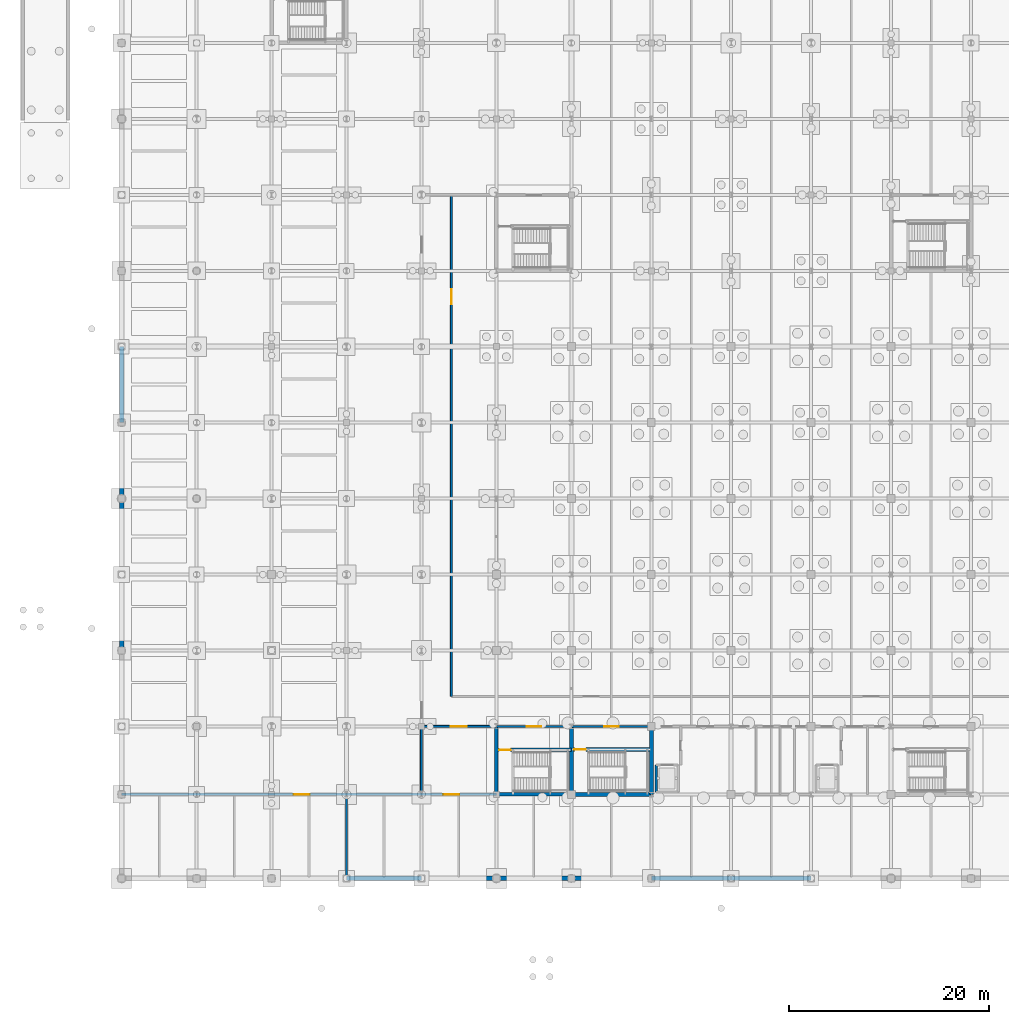
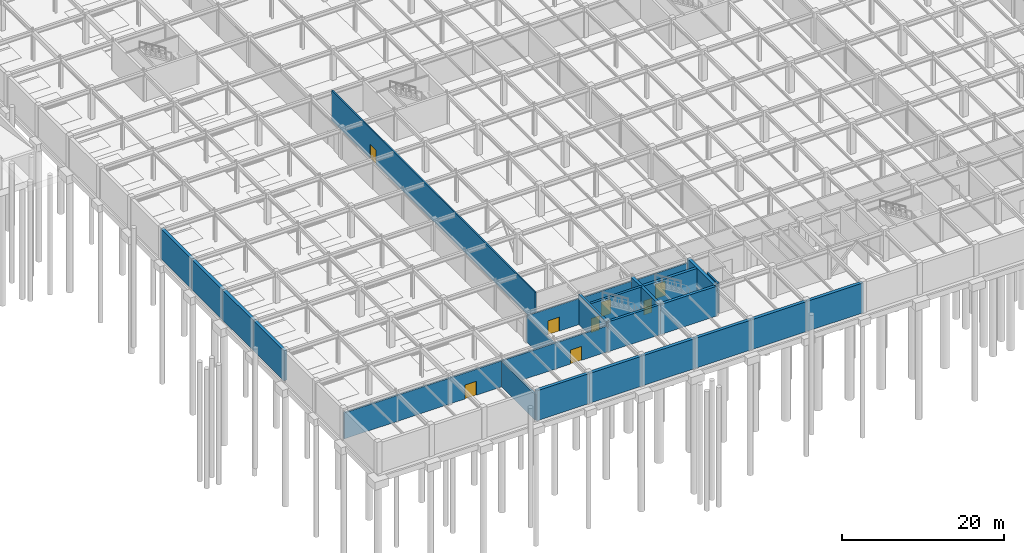
# One storey, part 39 of 53: 25 walls, 8 doors, 8 openings.
"""IFC4 building model written with IfcOpenShell, lengths in metres."""

from ifc_helpers import new_model, si_unit, direction, frame, frame_2d, origin, place, context, subcontext, project, spatial, rectangle, extrude, material, layer, layer_set, type_object, element, fill, save


model = new_model("IFC4")

# Units and contexts
model_context = context("Model", 3, precision=1e-05, world=origin(), true_north=direction((0.0, 1.0)))
body_context = subcontext(model_context, "Body", "Model", "MODEL_VIEW")
ifc_project = project(units=[si_unit("LENGTHUNIT", "METRE"), si_unit("AREAUNIT", "SQUARE_METRE"), si_unit("VOLUMEUNIT", "CUBIC_METRE"), si_unit("PLANEANGLEUNIT", "RADIAN"), si_unit("MASSUNIT", "GRAM", prefix="KILO")], contexts=[model_context])

# Site, building, storey
site_placement = place(None, origin())
site = spatial("IfcSite", under=ifc_project, at=site_placement, CompositionType="ELEMENT")
building_placement = place(site_placement, origin())
building = spatial("IfcBuilding", under=site, at=building_placement, Name="Shalkamar Park Central Library", CompositionType="ELEMENT")
storey_placement = place(building_placement, frame((0.0, 0.0, -4.800048828125)))
storey = spatial("IfcBuildingStorey", under=building, at=storey_placement, Name="B1", CompositionType="ELEMENT", Elevation=-4.800048828125)

# Walls
ifc_material_1 = material(Name="Concrete C40/50", Category="concrete")
ifc_layer_1 = layer(ifc_material_1, 0.449951171875)
ifc_layer_set_1 = layer_set([ifc_layer_1], Name="Concrete C40/50")
wall_type_1 = type_object("IfcWallType", Name="Basement Retaining Shear Wall 450", PredefinedType="SHEAR", material=ifc_layer_set_1)
for number, where, z_axis, x_axis, name in (
    (1, (142.5, 240.0, 0.0), (0.0, 0.0, 1.0), (1.0, 0.0, 0.0), "Basement Retaining Wall S-04"),
    (2, (150.0, 240.0, 0.0), (0.0, 0.0, 1.0), (1.0, 0.0, 0.0), "Basement Retaining Wall S-05"),
    (3, (157.5, 240.0, 0.0), (0.0, 0.0, 1.0), (1.0, 0.0, 0.0), "Basement Retaining Wall S-06"),
):
    element("IfcWall", number, at=place(storey_placement, frame(where, z_axis=z_axis, x_axis=x_axis)), inside=storey, type_object=wall_type_1, Name=name, PredefinedType="SHEAR", context=body_context, shape_type="SweptSolid", body=[
        extrude(rectangle(XDim=7.5, YDim=0.449951171875, at=frame_2d((3.75, 0.0))), origin(), (0.0, 0.0, 1.0), 4.510009765625),
    ])
for number, where, z_axis, x_axis, name in (
    (4, (165.0, 240.0, 0.0), (0.0, 0.0, 1.0), (1.0, 0.0, 0.0), "Basement Retaining Wall S-07"),
    (5, (173.0, 240.0, 0.0), (0.0, 0.0, 1.0), (1.0, 0.0, 0.0), "Basement Retaining Wall S-08"),
    (6, (181.0, 240.0, 0.0), (0.0, 0.0, 1.0), (1.0, 0.0, 0.0), "Basement Retaining Wall S-09"),
):
    element("IfcWall", number, at=place(storey_placement, frame(where, z_axis=z_axis, x_axis=x_axis)), inside=storey, type_object=wall_type_1, Name=name, PredefinedType="SHEAR", context=body_context, shape_type="SweptSolid", body=[
        extrude(rectangle(XDim=8.0, YDim=0.449951171875, at=frame_2d((4.0, 0.0))), origin(), (0.0, 0.0, 1.0), 4.510009765625),
    ])
wall_1_placement = place(storey_placement, frame((120.0, 262.800048828125, 0.0), z_axis=(0.0, 0.0, 1.0), x_axis=(0.0, 1.0, 0.0)))
element("IfcWall", 7, at=wall_1_placement, inside=storey, type_object=wall_type_1, Name="Basement Retaining Wall W-D", PredefinedType="SHEAR", context=body_context, shape_type="SweptSolid", body=[
    extrude(rectangle(XDim=7.599853515625, YDim=0.449951171875, at=frame_2d((3.7998046875, 0.0))), origin(), (0.0, 0.0, 1.0), 4.510009765625),
])
for number, where, z_axis, x_axis, name in (
    (8, (120.0, 270.39990234375, 0.0), (0.0, 0.0, 1.0), (0.0, 1.0, 0.0), "Basement Retaining Wall W-E"),
    (9, (120.0, 278.0, 0.0), (0.0, 0.0, 1.0), (0.0, 1.0, 0.0), "Basement Retaining Wall W-F"),
):
    element("IfcWall", number, at=place(storey_placement, frame(where, z_axis=z_axis, x_axis=x_axis)), inside=storey, type_object=wall_type_1, Name=name, PredefinedType="SHEAR", context=body_context, shape_type="SweptSolid", body=[
        extrude(rectangle(XDim=7.60009765625, YDim=0.449951171875, at=frame_2d((3.800048828125, 0.0))), origin(), (0.0, 0.0, 1.0), 4.510009765625),
    ])
wall_2_placement = place(storey_placement, frame((120.0, 285.60009765625, 0.0), z_axis=(0.0, 0.0, 1.0), x_axis=(0.0, 1.0, 0.0)))
element("IfcWall", 10, at=wall_2_placement, inside=storey, type_object=wall_type_1, Name="Basement Retaining Wall W-G", PredefinedType="SHEAR", context=body_context, shape_type="SweptSolid", body=[
    extrude(rectangle(XDim=7.599853515625, YDim=0.449951171875, at=frame_2d((3.7998046875, 0.0))), origin(), (0.0, 0.0, 1.0), 4.510009765625),
])

# Wall, openings, doors
ifc_material_2 = material(Name="Reinforced fire-compartment masonry wall", Category="masonry")
ifc_layer_2 = layer(ifc_material_2, 0.239990234375)
ifc_layer_set_2 = layer_set([ifc_layer_2], Name="CompartmentWall_240")
wall_type_2 = type_object("IfcWallType", Name="Compartment Wall 240", PredefinedType="PARTITIONING", material=ifc_layer_set_2)
wall_3_placement = place(storey_placement, frame((120.0, 248.39990234375, 0.0), z_axis=(0.0, 0.0, 1.0), x_axis=(1.0, 0.0, 0.0)))
wall_3 = element("IfcWall", 11, at=wall_3_placement, inside=storey, type_object=wall_type_2, Name="Interior Partition WL-INT-B1-018", PredefinedType="PARTITIONING", context=body_context, shape_type="SweptSolid", body=[
    extrude(rectangle(XDim=37.5, YDim=0.239990234375, at=frame_2d((18.75, 0.0))), origin(), (0.0, 0.0, 1.0), 3.907958984375),
])
opening_1_placement = place(wall_3_placement, frame((17.199951171875, 0.0, 0.0)))
opening_1 = element("IfcOpeningElement", 12, at=opening_1_placement, cuts=wall_3, Name="Opening DR-B1-015", PredefinedType="OPENING", context=body_context, shape_type="SweptSolid", body=[
    extrude(rectangle(XDim=1.60009765625, YDim=2.10009765625, at=frame_2d((0.800048828125, 1.050048828125))), frame((0.0, 0.134765625, 0.0), z_axis=(0.0, -1.0, 0.0), x_axis=(1.0, 0.0, 0.0)), (0.0, 0.0, 1.0), 0.269775390625),
])
opening_2_placement = place(wall_3_placement, frame((32.199951171875, 0.0, 0.0)))
opening_2 = element("IfcOpeningElement", 13, at=opening_2_placement, cuts=wall_3, Name="Opening DR-B1-016", PredefinedType="OPENING", context=body_context, shape_type="SweptSolid", body=[
    extrude(rectangle(XDim=1.60009765625, YDim=2.10009765625, at=frame_2d((0.800048828125, 1.050048828125))), frame((0.0, 0.134765625, 0.0), z_axis=(0.0, -1.0, 0.0), x_axis=(1.0, 0.0, 0.0)), (0.0, 0.0, 1.0), 0.269775390625),
])
ifc_material_3 = material(Name="Steel S355", Category="steel")
door_type_1 = type_object("IfcDoorType", Name="Fire Door Double 1600x2100", OperationType="DOUBLE_DOOR_SINGLE_SWING", PredefinedType="DOOR", material=ifc_material_3)
door_1_placement = place(opening_1_placement, frame((1.60009765625, 0.0, 0.0), z_axis=(0.0, 0.0, 1.0), x_axis=(-1.0, 0.0, 0.0)))
door_1 = element("IfcDoor", 14, at=door_1_placement, inside=storey, type_object=door_type_1, Name="Sprinkler Pump Plant Door", OperationType="DOUBLE_DOOR_SINGLE_SWING", OverallHeight=2.10009765625, OverallWidth=1.60009765625, PredefinedType="DOOR", context=body_context, shape_type="SweptSolid", body=[
    extrude(rectangle(XDim=1.60009765625, YDim=2.10009765625, at=frame_2d((0.800048828125, 1.050048828125))), frame((0.0, 0.02490234375, 0.0), z_axis=(0.0, -1.0, 0.0), x_axis=(1.0, 0.0, 0.0)), (0.0, 0.0, 1.0), 0.050048828125),
])
fill(opening_1, door_1)
door_2_placement = place(opening_2_placement, frame((1.60009765625, 0.0, 0.0), z_axis=(0.0, 0.0, 1.0), x_axis=(-1.0, 0.0, 0.0)))
door_2 = element("IfcDoor", 15, at=door_2_placement, inside=storey, type_object=door_type_1, Name="District Heating Substation Door", OperationType="DOUBLE_DOOR_SINGLE_SWING", OverallHeight=2.10009765625, OverallWidth=1.60009765625, PredefinedType="DOOR", context=body_context, shape_type="SweptSolid", body=[
    extrude(rectangle(XDim=1.60009765625, YDim=2.10009765625, at=frame_2d((0.800048828125, 1.050048828125))), frame((0.0, 0.02490234375, 0.0), z_axis=(0.0, -1.0, 0.0), x_axis=(1.0, 0.0, 0.0)), (0.0, 0.0, 1.0), 0.050048828125),
])
fill(opening_2, door_2)

# Wall
wall_4_placement = place(storey_placement, frame((142.5, 240.0, 0.0), z_axis=(0.0, 0.0, 1.0), x_axis=(0.0, 1.0, 0.0)))
element("IfcWall", 16, at=wall_4_placement, inside=storey, type_object=wall_type_2, Name="Interior Partition WL-INT-B1-019", PredefinedType="PARTITIONING", context=body_context, shape_type="SweptSolid", body=[
    extrude(rectangle(XDim=8.39990234375, YDim=0.239990234375, at=frame_2d((4.199951171875, 0.0))), origin(), (0.0, 0.0, 1.0), 3.858154296875),
])

# Wall, opening, door
ifc_material_4 = material(Name="Fire-rated corridor partition wall", Category="masonry")
ifc_layer_3 = layer(ifc_material_4, 0.199951171875)
ifc_layer_set_3 = layer_set([ifc_layer_3], Name="CorridorFireWall_200")
wall_type_3 = type_object("IfcWallType", Name="Corridor Fire Wall 200", PredefinedType="PARTITIONING", material=ifc_layer_set_3)
wall_5_placement = place(storey_placement, frame((165.0, 255.199951171875, 0.0), z_axis=(0.0, 0.0, 1.0), x_axis=(1.0, 0.0, 0.0)))
wall_5 = element("IfcWall", 17, at=wall_5_placement, inside=storey, type_object=wall_type_3, Name="CORE-T1 Vestibule North Wall (B1)", PredefinedType="PARTITIONING", context=body_context, shape_type="SweptSolid", body=[
    extrude(rectangle(XDim=8.0, YDim=0.199951171875, at=frame_2d((4.0, 0.0))), origin(), (0.0, 0.0, 1.0), 3.858154296875),
])
opening_3_placement = place(wall_5_placement, frame((3.27490234375, 0.0, 0.0)))
opening_3 = element("IfcOpeningElement", 18, at=opening_3_placement, cuts=wall_5, Name="Opening DR-ST-T1-B1-VEST", PredefinedType="OPENING", context=body_context, shape_type="SweptSolid", body=[
    extrude(rectangle(XDim=1.449951171875, YDim=2.199951171875, at=frame_2d((0.72509765625, 1.10009765625))), frame((0.0, 0.11474609375, 0.0), z_axis=(0.0, -1.0, 0.0), x_axis=(1.0, 0.0, 0.0)), (0.0, 0.0, 1.0), 0.229736328125),
])
door_type_2 = type_object("IfcDoorType", Name="Stair Vestibule Door 1450x2200", OperationType="DOUBLE_DOOR_SINGLE_SWING", PredefinedType="DOOR", material=ifc_material_3)
door_3_placement = place(opening_3_placement, frame((1.449951171875, 0.0, 0.0), z_axis=(0.0, 0.0, 1.0), x_axis=(-1.0, 0.0, 0.0)))
door_3 = element("IfcDoor", 19, at=door_3_placement, inside=storey, type_object=door_type_2, Name="Protected Stair ST-T1 Vestibule Door (B1)", OperationType="DOUBLE_DOOR_SINGLE_SWING", OverallHeight=2.199951171875, OverallWidth=1.449951171875, PredefinedType="DOOR", context=body_context, shape_type="SweptSolid", body=[
    extrude(rectangle(XDim=1.449951171875, YDim=2.199951171875, at=frame_2d((0.72509765625, 1.10009765625))), frame((0.0, 0.02490234375, 0.0), z_axis=(0.0, -1.0, 0.0), x_axis=(1.0, 0.0, 0.0)), (0.0, 0.0, 1.0), 0.050048828125),
])
fill(opening_3, door_3)

wall_6_placement = place(storey_placement, frame((157.5, 255.199951171875, 0.0), z_axis=(0.0, 0.0, 1.0), x_axis=(1.0, 0.0, 0.0)))
wall_6 = element("IfcWall", 20, at=wall_6_placement, inside=storey, type_object=wall_type_3, Name="CORE-P1 Vestibule North Wall (B1)", PredefinedType="PARTITIONING", context=body_context, shape_type="SweptSolid", body=[
    extrude(rectangle(XDim=7.5, YDim=0.199951171875, at=frame_2d((3.75, 0.0))), origin(), (0.0, 0.0, 1.0), 3.907958984375),
])
opening_4_placement = place(wall_6_placement, frame((3.02490234375, 0.0, 0.0)))
opening_4 = element("IfcOpeningElement", 21, at=opening_4_placement, cuts=wall_6, Name="Opening DR-ST-P1-B1-VEST", PredefinedType="OPENING", context=body_context, shape_type="SweptSolid", body=[
    extrude(rectangle(XDim=1.449951171875, YDim=2.199951171875, at=frame_2d((0.72509765625, 1.10009765625))), frame((0.0, 0.11474609375, 0.0), z_axis=(0.0, -1.0, 0.0), x_axis=(1.0, 0.0, 0.0)), (0.0, 0.0, 1.0), 0.229736328125),
])
door_4_placement = place(opening_4_placement, frame((1.449951171875, 0.0, 0.0), z_axis=(0.0, 0.0, 1.0), x_axis=(-1.0, 0.0, 0.0)))
door_4 = element("IfcDoor", 22, at=door_4_placement, inside=storey, type_object=door_type_2, Name="Protected Stair ST-P1 Vestibule Door (B1)", OperationType="DOUBLE_DOOR_SINGLE_SWING", OverallHeight=2.199951171875, OverallWidth=1.449951171875, PredefinedType="DOOR", context=body_context, shape_type="SweptSolid", body=[
    extrude(rectangle(XDim=1.449951171875, YDim=2.199951171875, at=frame_2d((0.72509765625, 1.10009765625))), frame((0.0, 0.02490234375, 0.0), z_axis=(0.0, -1.0, 0.0), x_axis=(1.0, 0.0, 0.0)), (0.0, 0.0, 1.0), 0.050048828125),
])
fill(opening_4, door_4)

# Wall
wall_7_placement = place(storey_placement, frame((150.0, 248.39990234375, 0.0), z_axis=(0.0, 0.0, 1.0), x_axis=(0.0, 1.0, 0.0)))
element("IfcWall", 23, at=wall_7_placement, inside=storey, type_object=wall_type_3, Name="Interior Partition WL-INT-B1-015", PredefinedType="PARTITIONING", context=body_context, shape_type="SweptSolid", body=[
    extrude(rectangle(XDim=6.800048828125, YDim=0.199951171875, at=frame_2d((3.39990234375, 0.0))), origin(), (0.0, 0.0, 1.0), 3.80810546875),
])

# Wall, opening, door
wall_8_placement = place(storey_placement, frame((150.0, 255.199951171875, 0.0), z_axis=(0.0, 0.0, 1.0), x_axis=(1.0, 0.0, 0.0)))
wall_8 = element("IfcWall", 24, at=wall_8_placement, inside=storey, type_object=wall_type_3, Name="Interior Partition WL-INT-B1-023", PredefinedType="PARTITIONING", context=body_context, shape_type="SweptSolid", body=[
    extrude(rectangle(XDim=7.5, YDim=0.199951171875, at=frame_2d((3.75, 0.0))), origin(), (0.0, 0.0, 1.0), 3.907958984375),
])
opening_5_placement = place(wall_8_placement, frame((2.949951171875, 0.0, 0.0)))
opening_5 = element("IfcOpeningElement", 25, at=opening_5_placement, cuts=wall_8, Name="Opening DR-B1-020", PredefinedType="OPENING", context=body_context, shape_type="SweptSolid", body=[
    extrude(rectangle(XDim=1.60009765625, YDim=2.10009765625, at=frame_2d((0.800048828125, 1.050048828125))), frame((0.0, 0.11474609375, 0.0), z_axis=(0.0, -1.0, 0.0), x_axis=(1.0, 0.0, 0.0)), (0.0, 0.0, 1.0), 0.229736328125),
])
door_5_placement = place(opening_5_placement, frame((1.60009765625, 0.0, 0.0), z_axis=(0.0, 0.0, 1.0), x_axis=(-1.0, 0.0, 0.0)))
door_5 = element("IfcDoor", 26, at=door_5_placement, inside=storey, type_object=door_type_1, Name="South West Plant Passage Door", OperationType="DOUBLE_DOOR_SINGLE_SWING", OverallHeight=2.10009765625, OverallWidth=1.60009765625, PredefinedType="DOOR", context=body_context, shape_type="SweptSolid", body=[
    extrude(rectangle(XDim=1.60009765625, YDim=2.10009765625, at=frame_2d((0.800048828125, 1.050048828125))), frame((0.0, 0.02490234375, 0.0), z_axis=(0.0, -1.0, 0.0), x_axis=(1.0, 0.0, 0.0)), (0.0, 0.0, 1.0), 0.050048828125),
])
fill(opening_5, door_5)

wall_9_placement = place(storey_placement, frame((153.0, 258.199951171875, 0.0), z_axis=(0.0, 0.0, 1.0), x_axis=(0.0, 1.0, 0.0)))
wall_9 = element("IfcWall", 27, at=wall_9_placement, inside=storey, type_object=wall_type_3, Name="Interior Partition WL-INT-B1-029", PredefinedType="PARTITIONING", context=body_context, shape_type="SweptSolid", body=[
    extrude(rectangle(XDim=50.199951171875, YDim=0.199951171875, at=frame_2d((25.10009765625, 0.0))), origin(), (0.0, 0.0, 1.0), 4.510009765625),
])
opening_6_placement = place(wall_9_placement, frame((39.25, 0.0, 0.0)))
opening_6 = element("IfcOpeningElement", 28, at=opening_6_placement, cuts=wall_9, Name="Opening DR-B1-030", PredefinedType="OPENING", context=body_context, shape_type="SweptSolid", body=[
    extrude(rectangle(XDim=1.5, YDim=2.10009765625, at=frame_2d((0.75, 1.050048828125))), frame((0.0, 0.11474609375, 0.0), z_axis=(0.0, -1.0, 0.0), x_axis=(1.0, 0.0, 0.0)), (0.0, 0.0, 1.0), 0.229736328125),
])
door_type_3 = type_object("IfcDoorType", Name="Fire Door Double 1500x2100", OperationType="DOUBLE_DOOR_SINGLE_SWING", PredefinedType="DOOR", material=ifc_material_3)
door_6_placement = place(opening_6_placement, frame((1.5, 0.0, 0.0), z_axis=(0.0, 0.0, 1.0), x_axis=(-1.0, 0.0, 0.0)))
door_6 = element("IfcDoor", 29, at=door_6_placement, inside=storey, type_object=door_type_3, Name="North Compact Archive Stacks Door", OperationType="DOUBLE_DOOR_SINGLE_SWING", OverallHeight=2.10009765625, OverallWidth=1.5, PredefinedType="DOOR", context=body_context, shape_type="SweptSolid", body=[
    extrude(rectangle(XDim=1.5, YDim=2.10009765625, at=frame_2d((0.75, 1.050048828125))), frame((0.0, 0.02490234375, 0.0), z_axis=(0.0, -1.0, 0.0), x_axis=(1.0, 0.0, 0.0)), (0.0, 0.0, 1.0), 0.050048828125),
])
fill(opening_6, door_6)

# Walls
ifc_layer_4 = layer(ifc_material_1, 0.219970703125)
ifc_layer_set_4 = layer_set([ifc_layer_4], Name="Concrete C40/50")
wall_type_4 = type_object("IfcWallType", Name="Lift Hoistway Shear Wall 220", PredefinedType="SHEAR", material=ifc_layer_set_4)
wall_10_placement = place(storey_placement, frame((173.5, 248.64990234375, 0.0), z_axis=(0.0, 0.0, 1.0), x_axis=(0.0, 1.0, 0.0)))
element("IfcWall", 30, at=wall_10_placement, inside=storey, type_object=wall_type_4, Name="Lift FFL-01 Hoistway West Wall (B1)", PredefinedType="SHEAR", context=body_context, shape_type="SweptSolid", body=[
    extrude(rectangle(XDim=2.7001953125, YDim=0.219970703125, at=frame_2d((1.35009765625, 0.0))), origin(), (0.0, 0.0, 1.0), 4.510009765625),
])
ifc_layer_5 = layer(ifc_material_1, 0.35009765625)
ifc_layer_set_5 = layer_set([ifc_layer_5], Name="Concrete C40/50")
wall_type_5 = type_object("IfcWallType", Name="Podium Core Shear Wall 350", PredefinedType="SHEAR", material=ifc_layer_set_5)
wall_11_placement = place(storey_placement, frame((157.5, 248.39990234375, 0.0), z_axis=(0.0, 0.0, 1.0), x_axis=(1.0, 0.0, 0.0)))
element("IfcWall", 31, at=wall_11_placement, inside=storey, type_object=wall_type_5, Name="CORE-P1 South Shear Wall (B1)", PredefinedType="SHEAR", context=body_context, shape_type="SweptSolid", body=[
    extrude(rectangle(XDim=7.5, YDim=0.35009765625, at=frame_2d((3.75, 0.0))), origin(), (0.0, 0.0, 1.0), 4.510009765625),
])
wall_12_placement = place(storey_placement, frame((157.5, 248.39990234375, 0.0), z_axis=(0.0, 0.0, 1.0), x_axis=(0.0, 1.0, 0.0)))
element("IfcWall", 32, at=wall_12_placement, inside=storey, type_object=wall_type_5, Name="CORE-P1 West Shear Wall (B1)", PredefinedType="SHEAR", context=body_context, shape_type="SweptSolid", body=[
    extrude(rectangle(XDim=6.800048828125, YDim=0.35009765625, at=frame_2d((3.39990234375, 0.0))), origin(), (0.0, 0.0, 1.0), 4.510009765625),
])

# Wall, opening, door
wall_13_placement = place(storey_placement, frame((157.5, 252.85009765625, 0.0), z_axis=(0.0, 0.0, 1.0), x_axis=(1.0, 0.0, 0.0)))
wall_13 = element("IfcWall", 33, at=wall_13_placement, inside=storey, type_object=wall_type_5, Name="CORE-P1 Stairwell Wall (B1)", PredefinedType="SHEAR", context=body_context, shape_type="SweptSolid", body=[
    extrude(rectangle(XDim=7.5, YDim=0.35009765625, at=frame_2d((3.75, 0.0))), origin(), (0.0, 0.0, 1.0), 4.510009765625),
])
opening_7_placement = place(wall_13_placement, frame((0.27490234375, 0.0, 0.0)))
opening_7 = element("IfcOpeningElement", 34, at=opening_7_placement, cuts=wall_13, Name="Opening DR-ST-P1-B1-IN", PredefinedType="OPENING", context=body_context, shape_type="SweptSolid", body=[
    extrude(rectangle(XDim=1.14990234375, YDim=2.14990234375, at=frame_2d((0.574951171875, 1.074951171875))), frame((0.0, 0.18994140625, 0.0), z_axis=(0.0, -1.0, 0.0), x_axis=(1.0, 0.0, 0.0)), (0.0, 0.0, 1.0), 0.3798828125),
])
door_type_4 = type_object("IfcDoorType", Name="Stair Core Exit Door 1150x2150", OperationType="NOTDEFINED", PredefinedType="DOOR", material=ifc_material_3)
door_7_placement = place(opening_7_placement, frame((1.14990234375, 0.0, 0.0), z_axis=(0.0, 0.0, 1.0), x_axis=(-1.0, 0.0, 0.0)))
door_7 = element("IfcDoor", 35, at=door_7_placement, inside=storey, type_object=door_type_4, Name="Protected Stair ST-P1 Exit Door (B1)", OperationType="SINGLE_SWING_RIGHT", OverallHeight=2.14990234375, OverallWidth=1.14990234375, PredefinedType="DOOR", context=body_context, shape_type="SweptSolid", body=[
    extrude(rectangle(XDim=1.14990234375, YDim=2.14990234375, at=frame_2d((0.574951171875, 1.074951171875))), frame((0.0, 0.02490234375, 0.0), z_axis=(0.0, -1.0, 0.0), x_axis=(1.0, 0.0, 0.0)), (0.0, 0.0, 1.0), 0.050048828125),
])
fill(opening_7, door_7)

# Walls
ifc_layer_6 = layer(ifc_material_1, 0.39990234375)
ifc_layer_set_6 = layer_set([ifc_layer_6], Name="Concrete C40/50")
wall_type_6 = type_object("IfcWallType", Name="Tower Core Shear Wall 400", PredefinedType="SHEAR", material=ifc_layer_set_6)
wall_14_placement = place(storey_placement, frame((165.0, 248.39990234375, 0.0), z_axis=(0.0, 0.0, 1.0), x_axis=(1.0, 0.0, 0.0)))
element("IfcWall", 36, at=wall_14_placement, inside=storey, type_object=wall_type_6, Name="CORE-T1 South Shear Wall (B1)", PredefinedType="SHEAR", context=body_context, shape_type="SweptSolid", body=[
    extrude(rectangle(XDim=8.0, YDim=0.39990234375, at=frame_2d((4.0, 0.0))), origin(), (0.0, 0.0, 1.0), 4.510009765625),
])
for number, where, z_axis, x_axis, name in (
    (37, (165.0, 248.39990234375, 0.0), (0.0, 0.0, 1.0), (0.0, 1.0, 0.0), "CORE-T1 West Shear Wall (B1)"),
    (38, (173.0, 248.39990234375, 0.0), (0.0, 0.0, 1.0), (0.0, 1.0, 0.0), "CORE-T1 East Shear Wall (B1)"),
):
    element("IfcWall", number, at=place(storey_placement, frame(where, z_axis=z_axis, x_axis=x_axis)), inside=storey, type_object=wall_type_6, Name=name, PredefinedType="SHEAR", context=body_context, shape_type="SweptSolid", body=[
        extrude(rectangle(XDim=6.800048828125, YDim=0.39990234375, at=frame_2d((3.39990234375, 0.0))), origin(), (0.0, 0.0, 1.0), 4.510009765625),
    ])

# Wall, opening, door
wall_15_placement = place(storey_placement, frame((165.0, 252.89990234375, 0.0), z_axis=(0.0, 0.0, 1.0), x_axis=(1.0, 0.0, 0.0)))
wall_15 = element("IfcWall", 39, at=wall_15_placement, inside=storey, type_object=wall_type_6, Name="CORE-T1 Stairwell Wall (B1)", PredefinedType="SHEAR", context=body_context, shape_type="SweptSolid", body=[
    extrude(rectangle(XDim=8.0, YDim=0.39990234375, at=frame_2d((4.0, 0.0))), origin(), (0.0, 0.0, 1.0), 4.510009765625),
])
opening_8_placement = place(wall_15_placement, frame((0.300048828125, 0.0, 0.0)))
opening_8 = element("IfcOpeningElement", 40, at=opening_8_placement, cuts=wall_15, Name="Opening DR-ST-T1-B1-IN", PredefinedType="OPENING", context=body_context, shape_type="SweptSolid", body=[
    extrude(rectangle(XDim=1.14990234375, YDim=2.14990234375, at=frame_2d((0.574951171875, 1.074951171875))), frame((0.0, 0.21484375, 0.0), z_axis=(0.0, -1.0, 0.0), x_axis=(1.0, 0.0, 0.0)), (0.0, 0.0, 1.0), 0.4296875),
])
door_8_placement = place(opening_8_placement, frame((1.14990234375, 0.0, 0.0), z_axis=(0.0, 0.0, 1.0), x_axis=(-1.0, 0.0, 0.0)))
door_8 = element("IfcDoor", 41, at=door_8_placement, inside=storey, type_object=door_type_4, Name="Protected Stair ST-T1 Exit Door (B1)", OperationType="SINGLE_SWING_RIGHT", OverallHeight=2.14990234375, OverallWidth=1.14990234375, PredefinedType="DOOR", context=body_context, shape_type="SweptSolid", body=[
    extrude(rectangle(XDim=1.14990234375, YDim=2.14990234375, at=frame_2d((0.574951171875, 1.074951171875))), frame((0.0, 0.02490234375, 0.0), z_axis=(0.0, -1.0, 0.0), x_axis=(1.0, 0.0, 0.0)), (0.0, 0.0, 1.0), 0.050048828125),
])
fill(opening_8, door_8)

save(model, "model.ifc")
